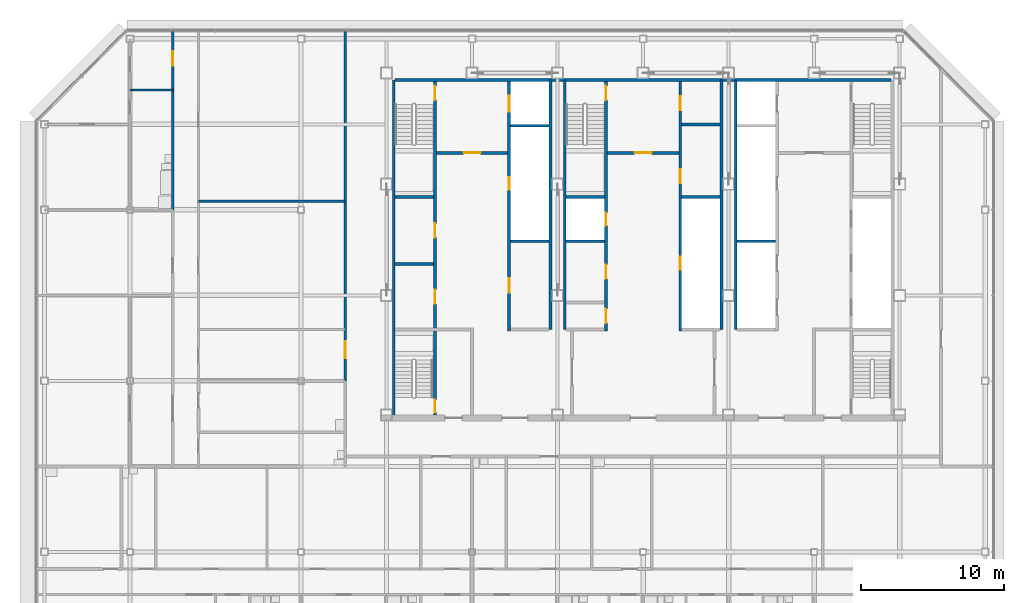
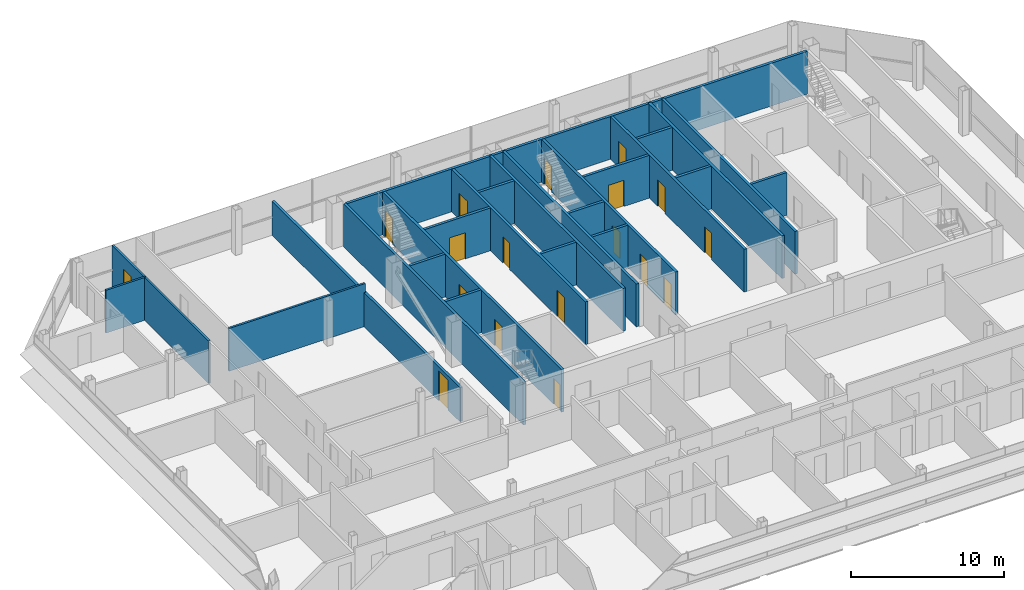
# One storey, part 24 of 28: 26 walls, 18 doors, 18 openings.
"""IFC4 building model written with IfcOpenShell, lengths in metres."""

from ifc_helpers import new_model, si_unit, direction, frame, frame_2d, origin, place, context, subcontext, project, spatial, rectangle, extrude, material, layer, layer_set, type_object, element, fill, save


model = new_model("IFC4")

# Units and contexts
model_context = context("Model", 3, precision=1e-05, world=origin(), true_north=direction((0.0, 1.0)))
body_context = subcontext(model_context, "Body", "Model", "MODEL_VIEW")
ifc_project = project(units=[si_unit("LENGTHUNIT", "METRE"), si_unit("AREAUNIT", "SQUARE_METRE"), si_unit("VOLUMEUNIT", "CUBIC_METRE"), si_unit("PLANEANGLEUNIT", "RADIAN"), si_unit("MASSUNIT", "GRAM", prefix="KILO")], contexts=[model_context])

# Site, building, storey
site_placement = place(None, origin())
site = spatial("IfcSite", under=ifc_project, at=site_placement, CompositionType="ELEMENT")
building_placement = place(site_placement, origin())
building = spatial("IfcBuilding", under=site, at=building_placement, Name="Sorahane Residences", CompositionType="ELEMENT")
storey_placement = place(building_placement, frame((0.0, 0.0, 305.199951171875)))
storey = spatial("IfcBuildingStorey", under=building, at=storey_placement, Name="L72", CompositionType="ELEMENT", Elevation=305.199951171875)

# Walls
ifc_material_1 = material(Name="Concrete C30", Category="concrete")
ifc_layer_1 = layer(ifc_material_1, 0.199951171875)
ifc_layer_set_1 = layer_set([ifc_layer_1], Name="Core face wall 200 EI 180")
wall_type_1 = type_object("IfcWallType", Name="Core face wall 200 EI 180", PredefinedType="SOLIDWALL", material=ifc_layer_set_1)
wall_1_placement = place(storey_placement, frame((6.5, 21.60009765625, 0.0), z_axis=(0.0, 0.0, 1.0), x_axis=(0.0, 1.0, 0.0)))
element("IfcWall", 1, at=wall_1_placement, inside=storey, type_object=wall_type_1, Name="L72 core face wall", PredefinedType="SOLIDWALL", context=body_context, shape_type="SweptSolid", body=[
    extrude(rectangle(XDim=23.5, YDim=0.199951171875, at=frame_2d((11.75, 0.0))), origin(), (0.0, 0.0, 1.0), 3.420166015625),
])
wall_2_placement = place(storey_placement, frame((6.60009765625, 45.10009765625, 0.0), z_axis=(0.0, 0.0, 1.0), x_axis=(1.0, 0.0, 0.0)))
element("IfcWall", 2, at=wall_2_placement, inside=storey, type_object=wall_type_1, Name="L72 core face wall", PredefinedType="SOLIDWALL", context=body_context, shape_type="SweptSolid", body=[
    extrude(rectangle(XDim=34.7998046875, YDim=0.199951171875, at=frame_2d((17.39990234375, 0.0))), origin(), (0.0, 0.0, 1.0), 3.420166015625),
])
for number, where, z_axis, x_axis, name in (
    (3, (17.5, 27.60009765625, 0.0), (0.0, 0.0, 1.0), (0.0, 1.0, 0.0), "L72 core face wall"),
    (4, (18.5, 27.60009765625, 0.0), (0.0, 0.0, 1.0), (0.0, 1.0, 0.0), "L72 core face wall"),
    (5, (29.5, 27.60009765625, 0.0), (0.0, 0.0, 1.0), (0.0, 1.0, 0.0), "L72 core face wall"),
    (6, (30.5, 27.60009765625, 0.0), (0.0, 0.0, 1.0), (0.0, 1.0, 0.0), "L72 core face wall"),
):
    element("IfcWall", number, at=place(storey_placement, frame(where, z_axis=z_axis, x_axis=x_axis)), inside=storey, type_object=wall_type_1, Name=name, PredefinedType="SOLIDWALL", context=body_context, shape_type="SweptSolid", body=[
        extrude(rectangle(XDim=17.5, YDim=0.199951171875, at=frame_2d((8.75, 0.0))), origin(), (0.0, 0.0, 1.0), 3.420166015625),
    ])

# Wall, opening, door
ifc_material_2 = material(Name="Concrete blockwork C20 wall", Category="masonry")
ifc_layer_2 = layer(ifc_material_2, 0.199951171875)
ifc_layer_set_2 = layer_set([ifc_layer_2], Name="Corridor wall 200 EI 120")
wall_type_2 = type_object("IfcWallType", Name="Corridor wall 200 EI 120", PredefinedType="SOLIDWALL", material=ifc_layer_set_2)
wall_3_placement = place(storey_placement, frame((3.10009765625, 24.0, 0.0), z_axis=(0.0, 0.0, 1.0), x_axis=(0.0, 1.0, 0.0)))
wall_3 = element("IfcWall", 7, at=wall_3_placement, inside=storey, type_object=wall_type_2, Name="L72 corridor wall", PredefinedType="SOLIDWALL", context=body_context, shape_type="SweptSolid", body=[
    extrude(rectangle(XDim=24.60009765625, YDim=0.199951171875, at=frame_2d((12.300048828125, 0.0))), origin(), (0.0, 0.0, 1.0), 2.719970703125),
])
opening_1_placement = place(wall_3_placement, frame((1.580078125, 0.0, 0.0)))
opening_1 = element("IfcOpeningElement", 8, at=opening_1_placement, cuts=wall_3, Name="Opening L72-46", PredefinedType="OPENING", context=body_context, shape_type="SweptSolid", body=[
    extrude(rectangle(XDim=1.199951171875, YDim=2.39990234375, at=frame_2d((0.60009765625, 1.199951171875))), frame((0.0, 0.10986328125, 0.0), z_axis=(0.0, -1.0, 0.0), x_axis=(1.0, 0.0, 0.0)), (0.0, 0.0, 1.0), 0.219970703125),
])
ifc_material_3 = material(Name="Timber veneered fire door", Category="wood")
door_type_1 = type_object("IfcDoorType", Name="Flat entrance door 1200x2400 FD60", OperationType="NOTDEFINED", PredefinedType="DOOR", material=ifc_material_3)
door_1_placement = place(opening_1_placement, origin())
door_1 = element("IfcDoor", 9, at=door_1_placement, inside=storey, type_object=door_type_1, Name="Flat entrance door L72-46", OperationType="SINGLE_SWING_LEFT", OverallHeight=2.39990234375, OverallWidth=1.199951171875, PredefinedType="DOOR", context=body_context, shape_type="SweptSolid", body=[
    extrude(rectangle(XDim=1.199951171875, YDim=2.39990234375, at=frame_2d((0.60009765625, 1.199951171875))), frame((0.0, 0.02490234375, 0.0), z_axis=(0.0, -1.0, 0.0), x_axis=(1.0, 0.0, 0.0)), (0.0, 0.0, 1.0), 0.050048828125),
])
fill(opening_1, door_1)

ifc_material_4 = material(Name="Concrete C30", Category="concrete")
ifc_layer_3 = layer(ifc_material_4, 0.199951171875)
ifc_layer_set_3 = layer_set([ifc_layer_3], Name="Front room wall 200 EI 120")
wall_type_3 = type_object("IfcWallType", Name="Front room wall 200 EI 120", PredefinedType="PARTITIONING", material=ifc_layer_set_3)
wall_4_placement = place(storey_placement, frame((21.5, 40.0, 0.0), z_axis=(0.0, 0.0, 1.0), x_axis=(1.0, 0.0, 0.0)))
wall_4 = element("IfcWall", 10, at=wall_4_placement, inside=storey, type_object=wall_type_3, Name="L72 front room wall", PredefinedType="PARTITIONING", context=body_context, shape_type="SweptSolid", body=[
    extrude(rectangle(XDim=5.0, YDim=0.199951171875, at=frame_2d((2.5, 0.0))), origin(), (0.0, 0.0, 1.0), 3.420166015625),
])
opening_2_placement = place(wall_4_placement, frame((1.89990234375, 0.0, 0.0)))
opening_2 = element("IfcOpeningElement", 11, at=opening_2_placement, cuts=wall_4, Name="Opening L72-C09", PredefinedType="OPENING", context=body_context, shape_type="SweptSolid", body=[
    extrude(rectangle(XDim=1.199951171875, YDim=2.10009765625, at=frame_2d((0.60009765625, 1.050048828125))), frame((0.0, 0.10986328125, 0.0), z_axis=(0.0, -1.0, 0.0), x_axis=(1.0, 0.0, 0.0)), (0.0, 0.0, 1.0), 0.219970703125),
])
ifc_material_5 = material(Name="Steel", Category="steel")
door_type_2 = type_object("IfcDoorType", Name="Front room door 1200x2100 FD120", OperationType="NOTDEFINED", PredefinedType="DOOR", material=ifc_material_5)
door_2_placement = place(opening_2_placement, frame((1.199951171875, 0.0, 0.0), z_axis=(0.0, 0.0, 1.0), x_axis=(-1.0, 0.0, 0.0)))
door_2 = element("IfcDoor", 12, at=door_2_placement, inside=storey, type_object=door_type_2, Name="Front room door Stair S3 vestibule L72", OperationType="DOUBLE_DOOR_SINGLE_SWING", OverallHeight=2.10009765625, OverallWidth=1.199951171875, PredefinedType="DOOR", context=body_context, shape_type="SweptSolid", body=[
    extrude(rectangle(XDim=1.199951171875, YDim=2.10009765625, at=frame_2d((0.60009765625, 1.050048828125))), frame((0.0, 0.02490234375, 0.0), z_axis=(0.0, -1.0, 0.0), x_axis=(1.0, 0.0, 0.0)), (0.0, 0.0, 1.0), 0.050048828125),
])
fill(opening_2, door_2)

wall_5_placement = place(storey_placement, frame((9.5, 40.0, 0.0), z_axis=(0.0, 0.0, 1.0), x_axis=(1.0, 0.0, 0.0)))
wall_5 = element("IfcWall", 13, at=wall_5_placement, inside=storey, type_object=wall_type_3, Name="L72 front room wall", PredefinedType="PARTITIONING", context=body_context, shape_type="SweptSolid", body=[
    extrude(rectangle(XDim=5.0, YDim=0.199951171875, at=frame_2d((2.5, 0.0))), origin(), (0.0, 0.0, 1.0), 3.420166015625),
])
opening_3_placement = place(wall_5_placement, frame((1.89990234375, 0.0, 0.0)))
opening_3 = element("IfcOpeningElement", 14, at=opening_3_placement, cuts=wall_5, Name="Opening L72-C08", PredefinedType="OPENING", context=body_context, shape_type="SweptSolid", body=[
    extrude(rectangle(XDim=1.199951171875, YDim=2.10009765625, at=frame_2d((0.60009765625, 1.050048828125))), frame((0.0, 0.10986328125, 0.0), z_axis=(0.0, -1.0, 0.0), x_axis=(1.0, 0.0, 0.0)), (0.0, 0.0, 1.0), 0.219970703125),
])
door_3_placement = place(opening_3_placement, frame((1.199951171875, 0.0, 0.0), z_axis=(0.0, 0.0, 1.0), x_axis=(-1.0, 0.0, 0.0)))
door_3 = element("IfcDoor", 15, at=door_3_placement, inside=storey, type_object=door_type_2, Name="Front room door Firefighting lobby FF1 front room L72", OperationType="DOUBLE_DOOR_SINGLE_SWING", OverallHeight=2.10009765625, OverallWidth=1.199951171875, PredefinedType="DOOR", context=body_context, shape_type="SweptSolid", body=[
    extrude(rectangle(XDim=1.199951171875, YDim=2.10009765625, at=frame_2d((0.60009765625, 1.050048828125))), frame((0.0, 0.02490234375, 0.0), z_axis=(0.0, -1.0, 0.0), x_axis=(1.0, 0.0, 0.0)), (0.0, 0.0, 1.0), 0.050048828125),
])
fill(opening_3, door_3)

# Wall, openings, doors
ifc_material_6 = material(Name="Concrete C30", Category="concrete")
ifc_layer_4 = layer(ifc_material_6, 0.199951171875)
ifc_layer_set_4 = layer_set([ifc_layer_4], Name="Lift shaft wall 200 EI 120")
wall_type_4 = type_object("IfcWallType", Name="Lift shaft wall 200 EI 120", PredefinedType="SOLIDWALL", material=ifc_layer_set_4)
wall_6_placement = place(storey_placement, frame((14.60009765625, 27.5, 0.0), z_axis=(0.0, 0.0, 1.0), x_axis=(0.0, 1.0, 0.0)))
wall_6 = element("IfcWall", 16, at=wall_6_placement, inside=storey, type_object=wall_type_4, Name="L72 lift shaft wall", PredefinedType="SOLIDWALL", context=body_context, shape_type="SweptSolid", body=[
    extrude(rectangle(XDim=17.5, YDim=0.199951171875, at=frame_2d((8.75, 0.0))), origin(), (0.0, 0.0, 1.0), 3.420166015625),
])
opening_4_placement = place(wall_6_placement, frame((15.39990234375, 0.0, 0.0)))
opening_4 = element("IfcOpeningElement", 17, at=opening_4_placement, cuts=wall_6, Name="Opening L72-C17", PredefinedType="OPENING", context=body_context, shape_type="SweptSolid", body=[
    extrude(rectangle(XDim=1.10009765625, YDim=2.10009765625, at=frame_2d((0.550048828125, 1.050048828125))), frame((0.0, 0.10986328125, 0.0), z_axis=(0.0, -1.0, 0.0), x_axis=(1.0, 0.0, 0.0)), (0.0, 0.0, 1.0), 0.219970703125),
])
opening_5_placement = place(wall_6_placement, frame((2.699951171875, 0.0, 0.0)))
opening_5 = element("IfcOpeningElement", 18, at=opening_5_placement, cuts=wall_6, Name="Opening L72-C20", PredefinedType="OPENING", context=body_context, shape_type="SweptSolid", body=[
    extrude(rectangle(XDim=1.0, YDim=2.10009765625, at=frame_2d((0.5, 1.050048828125))), frame((0.0, 0.10986328125, 0.0), z_axis=(0.0, -1.0, 0.0), x_axis=(1.0, 0.0, 0.0)), (0.0, 0.0, 1.0), 0.219970703125),
])
opening_6_placement = place(wall_6_placement, frame((9.89990234375, 0.0, 0.0)))
opening_6 = element("IfcOpeningElement", 19, at=opening_6_placement, cuts=wall_6, Name="Opening L72-C28", PredefinedType="OPENING", context=body_context, shape_type="SweptSolid", body=[
    extrude(rectangle(XDim=0.89990234375, YDim=2.10009765625, at=frame_2d((0.449951171875, 1.050048828125))), frame((0.0, 0.10986328125, 0.0), z_axis=(0.0, -1.0, 0.0), x_axis=(1.0, 0.0, 0.0)), (0.0, 0.0, 1.0), 0.219970703125),
])
ifc_material_7 = material(Name="Aluminium and stainless steel", Category="steel")
door_type_3 = type_object("IfcDoorType", Name="Lift landing door 1100x2100 E 60", OperationType="NOTDEFINED", PredefinedType="DOOR", material=ifc_material_7)
door_4_placement = place(opening_4_placement, origin())
door_4 = element("IfcDoor", 20, at=door_4_placement, inside=storey, type_object=door_type_3, Name="Lift landing door FF1 L72", OperationType="DOUBLE_DOOR_SLIDING", OverallHeight=2.10009765625, OverallWidth=1.10009765625, PredefinedType="DOOR", context=body_context, shape_type="SweptSolid", body=[
    extrude(rectangle(XDim=1.10009765625, YDim=2.10009765625, at=frame_2d((0.550048828125, 1.050048828125))), frame((0.0, 0.02490234375, 0.0), z_axis=(0.0, -1.0, 0.0), x_axis=(1.0, 0.0, 0.0)), (0.0, 0.0, 1.0), 0.050048828125),
])
fill(opening_4, door_4)
ifc_material_8 = material(Name="Steel", Category="steel")
door_type_4 = type_object("IfcDoorType", Name="Riser door 900x2100 FD120", OperationType="NOTDEFINED", PredefinedType="DOOR", material=ifc_material_8)
door_5_placement = place(opening_6_placement, origin())
door_5 = element("IfcDoor", 21, at=door_5_placement, inside=storey, type_object=door_type_4, Name="Riser door R1 L72", OperationType="SINGLE_SWING_LEFT", OverallHeight=2.10009765625, OverallWidth=0.89990234375, PredefinedType="DOOR", context=body_context, shape_type="SweptSolid", body=[
    extrude(rectangle(XDim=0.89990234375, YDim=2.10009765625, at=frame_2d((0.449951171875, 1.050048828125))), frame((0.0, 0.02490234375, 0.0), z_axis=(0.0, -1.0, 0.0), x_axis=(1.0, 0.0, 0.0)), (0.0, 0.0, 1.0), 0.050048828125),
])
fill(opening_6, door_5)
ifc_material_9 = material(Name="Steel", Category="steel")
door_type_5 = type_object("IfcDoorType", Name="Service room door 1000x2100 FD60", OperationType="NOTDEFINED", PredefinedType="DOOR", material=ifc_material_9)
door_6_placement = place(opening_5_placement, frame((1.0, 0.0, 0.0), z_axis=(0.0, 0.0, 1.0), x_axis=(-1.0, 0.0, 0.0)))
door_6 = element("IfcDoor", 22, at=door_6_placement, inside=storey, type_object=door_type_5, Name="Service room door Archive L72", OperationType="SINGLE_SWING_RIGHT", OverallHeight=2.10009765625, OverallWidth=1.0, PredefinedType="DOOR", context=body_context, shape_type="SweptSolid", body=[
    extrude(rectangle(XDim=1.0, YDim=2.10009765625, at=frame_2d((0.5, 1.050048828125))), frame((0.0, 0.02490234375, 0.0), z_axis=(0.0, -1.0, 0.0), x_axis=(1.0, 0.0, 0.0)), (0.0, 0.0, 1.0), 0.050048828125),
])
fill(opening_5, door_6)

# Walls
for number, where, z_axis, x_axis, name in (
    (23, (30.60009765625, 33.800048828125, 0.0), (0.0, 0.0, 1.0), (1.0, 0.0, 0.0), "L72 lift shaft wall"),
    (24, (14.699951171875, 41.89990234375, 0.0), (0.0, 0.0, 1.0), (1.0, 0.0, 0.0), "L72 lift shaft wall"),
):
    element("IfcWall", number, at=place(storey_placement, frame(where, z_axis=z_axis, x_axis=x_axis)), inside=storey, type_object=wall_type_4, Name=name, PredefinedType="SOLIDWALL", context=body_context, shape_type="SweptSolid", body=[
        extrude(rectangle(XDim=2.699951171875, YDim=0.199951171875, at=frame_2d((1.35009765625, 0.0))), origin(), (0.0, 0.0, 1.0), 3.420166015625),
    ])

# Wall, opening, door
ifc_material_10 = material(Name="Gypsum board partition on steel studs", Category="steel")
ifc_layer_5 = layer(ifc_material_10, 0.14990234375)
ifc_layer_set_5 = layer_set([ifc_layer_5], Name="Partition 150 EI 90")
wall_type_5 = type_object("IfcWallType", Name="Partition 150 EI 90", PredefinedType="PARTITIONING", material=ifc_layer_set_5)
wall_7_placement = place(storey_placement, frame((-9.0, 44.39990234375, 0.0), z_axis=(0.0, 0.0, 1.0), x_axis=(0.0, 1.0, 0.0)))
wall_7 = element("IfcWall", 25, at=wall_7_placement, inside=storey, type_object=wall_type_5, Name="L72 partition", PredefinedType="PARTITIONING", context=body_context, shape_type="SweptSolid", body=[
    extrude(rectangle(XDim=4.2001953125, YDim=0.14990234375, at=frame_2d((2.10009765625, 0.0))), origin(), (0.0, 0.0, 1.0), 3.420166015625),
])
opening_7_placement = place(wall_7_placement, frame((1.719970703125, 0.0, 0.0)))
opening_7 = element("IfcOpeningElement", 26, at=opening_7_placement, cuts=wall_7, Name="Opening L72-39", PredefinedType="OPENING", context=body_context, shape_type="SweptSolid", body=[
    extrude(rectangle(XDim=1.0, YDim=2.39990234375, at=frame_2d((0.5, 1.199951171875))), frame((0.0, 0.0849609375, 0.0), z_axis=(0.0, -1.0, 0.0), x_axis=(1.0, 0.0, 0.0)), (0.0, 0.0, 1.0), 0.169921875),
])
ifc_material_11 = material(Name="Timber veneered fire door", Category="wood")
door_type_6 = type_object("IfcDoorType", Name="Room door 1000x2400 FD30", OperationType="NOTDEFINED", PredefinedType="DOOR", material=ifc_material_11)
door_7_placement = place(opening_7_placement, origin())
door_7 = element("IfcDoor", 27, at=door_7_placement, inside=storey, type_object=door_type_6, Name="Room door L72-39", OperationType="SINGLE_SWING_RIGHT", OverallHeight=2.39990234375, OverallWidth=1.0, PredefinedType="DOOR", context=body_context, shape_type="SweptSolid", body=[
    extrude(rectangle(XDim=1.0, YDim=2.39990234375, at=frame_2d((0.5, 1.199951171875))), frame((0.0, 0.02490234375, 0.0), z_axis=(0.0, -1.0, 0.0), x_axis=(1.0, 0.0, 0.0)), (0.0, 0.0, 1.0), 0.050048828125),
])
fill(opening_7, door_7)

# Wall
wall_8_placement = place(storey_placement, frame((-7.199951171875, 36.60009765625, 0.0), z_axis=(0.0, 0.0, 1.0), x_axis=(1.0, 0.0, 0.0)))
element("IfcWall", 28, at=wall_8_placement, inside=storey, type_object=wall_type_5, Name="L72 partition", PredefinedType="PARTITIONING", context=body_context, shape_type="SweptSolid", body=[
    extrude(rectangle(XDim=10.300048828125, YDim=0.14990234375, at=frame_2d((5.14990234375, 0.0))), origin(), (0.0, 0.0, 1.0), 3.420166015625),
])

# Wall, openings, doors
ifc_material_12 = material(Name="Concrete C30", Category="concrete")
ifc_layer_6 = layer(ifc_material_12, 0.199951171875)
ifc_layer_set_6 = layer_set([ifc_layer_6], Name="Riser shaft wall 200 EI 120")
wall_type_6 = type_object("IfcWallType", Name="Riser shaft wall 200 EI 120", PredefinedType="SOLIDWALL", material=ifc_layer_set_6)
wall_9_placement = place(storey_placement, frame((26.60009765625, 27.5, 0.0), z_axis=(0.0, 0.0, 1.0), x_axis=(0.0, 1.0, 0.0)))
wall_9 = element("IfcWall", 29, at=wall_9_placement, inside=storey, type_object=wall_type_6, Name="L72 riser wall", PredefinedType="SOLIDWALL", context=body_context, shape_type="SweptSolid", body=[
    extrude(rectangle(XDim=17.5, YDim=0.199951171875, at=frame_2d((8.75, 0.0))), origin(), (0.0, 0.0, 1.0), 3.420166015625),
])
opening_8_placement = place(wall_9_placement, frame((4.300048828125, 0.0, 0.0)))
opening_8 = element("IfcOpeningElement", 30, at=opening_8_placement, cuts=wall_9, Name="Opening L72-C31", PredefinedType="OPENING", context=body_context, shape_type="SweptSolid", body=[
    extrude(rectangle(XDim=0.89990234375, YDim=2.10009765625, at=frame_2d((0.449951171875, 1.050048828125))), frame((0.0, 0.10986328125, 0.0), z_axis=(0.0, -1.0, 0.0), x_axis=(1.0, 0.0, 0.0)), (0.0, 0.0, 1.0), 0.219970703125),
])
opening_9_placement = place(wall_9_placement, frame((10.35009765625, 0.0, 0.0)))
opening_9 = element("IfcOpeningElement", 31, at=opening_9_placement, cuts=wall_9, Name="Opening L72-C32", PredefinedType="OPENING", context=body_context, shape_type="SweptSolid", body=[
    extrude(rectangle(XDim=1.0, YDim=2.10009765625, at=frame_2d((0.5, 1.050048828125))), frame((0.0, 0.10986328125, 0.0), z_axis=(0.0, -1.0, 0.0), x_axis=(1.0, 0.0, 0.0)), (0.0, 0.0, 1.0), 0.219970703125),
])
opening_10_placement = place(wall_9_placement, frame((15.47509765625, 0.0, 0.0)))
opening_10 = element("IfcOpeningElement", 32, at=opening_10_placement, cuts=wall_9, Name="Opening L72-C33", PredefinedType="OPENING", context=body_context, shape_type="SweptSolid", body=[
    extrude(rectangle(XDim=1.0, YDim=2.10009765625, at=frame_2d((0.5, 1.050048828125))), frame((0.0, 0.10986328125, 0.0), z_axis=(0.0, -1.0, 0.0), x_axis=(1.0, 0.0, 0.0)), (0.0, 0.0, 1.0), 0.219970703125),
])
door_8_placement = place(opening_8_placement, origin())
door_8 = element("IfcDoor", 33, at=door_8_placement, inside=storey, type_object=door_type_4, Name="Riser door R4 L72", OperationType="SINGLE_SWING_LEFT", OverallHeight=2.10009765625, OverallWidth=0.89990234375, PredefinedType="DOOR", context=body_context, shape_type="SweptSolid", body=[
    extrude(rectangle(XDim=0.89990234375, YDim=2.10009765625, at=frame_2d((0.449951171875, 1.050048828125))), frame((0.0, 0.02490234375, 0.0), z_axis=(0.0, -1.0, 0.0), x_axis=(1.0, 0.0, 0.0)), (0.0, 0.0, 1.0), 0.050048828125),
])
fill(opening_8, door_8)
door_9_placement = place(opening_9_placement, frame((1.0, 0.0, 0.0), z_axis=(0.0, 0.0, 1.0), x_axis=(-1.0, 0.0, 0.0)))
door_9 = element("IfcDoor", 34, at=door_9_placement, inside=storey, type_object=door_type_5, Name="Service room door Parcel room L72", OperationType="SINGLE_SWING_LEFT", OverallHeight=2.10009765625, OverallWidth=1.0, PredefinedType="DOOR", context=body_context, shape_type="SweptSolid", body=[
    extrude(rectangle(XDim=1.0, YDim=2.10009765625, at=frame_2d((0.5, 1.050048828125))), frame((0.0, 0.02490234375, 0.0), z_axis=(0.0, -1.0, 0.0), x_axis=(1.0, 0.0, 0.0)), (0.0, 0.0, 1.0), 0.050048828125),
])
fill(opening_9, door_9)
door_10_placement = place(opening_10_placement, frame((1.0, 0.0, 0.0), z_axis=(0.0, 0.0, 1.0), x_axis=(-1.0, 0.0, 0.0)))
door_10 = element("IfcDoor", 35, at=door_10_placement, inside=storey, type_object=door_type_5, Name="Service room door Refuse room L72", OperationType="SINGLE_SWING_RIGHT", OverallHeight=2.10009765625, OverallWidth=1.0, PredefinedType="DOOR", context=body_context, shape_type="SweptSolid", body=[
    extrude(rectangle(XDim=1.0, YDim=2.10009765625, at=frame_2d((0.5, 1.050048828125))), frame((0.0, 0.02490234375, 0.0), z_axis=(0.0, -1.0, 0.0), x_axis=(1.0, 0.0, 0.0)), (0.0, 0.0, 1.0), 0.050048828125),
])
fill(opening_10, door_10)

# Walls
for number, where, z_axis, x_axis, name in (
    (36, (14.699951171875, 33.800048828125, 0.0), (0.0, 0.0, 1.0), (1.0, 0.0, 0.0), "L72 riser wall"),
    (37, (18.60009765625, 33.800048828125, 0.0), (0.0, 0.0, 1.0), (1.0, 0.0, 0.0), "L72 riser wall"),
    (38, (26.699951171875, 36.89990234375, 0.0), (0.0, 0.0, 1.0), (1.0, 0.0, 0.0), "L72 riser wall"),
):
    element("IfcWall", number, at=place(storey_placement, frame(where, z_axis=z_axis, x_axis=x_axis)), inside=storey, type_object=wall_type_6, Name=name, PredefinedType="SOLIDWALL", context=body_context, shape_type="SweptSolid", body=[
        extrude(rectangle(XDim=2.699951171875, YDim=0.199951171875, at=frame_2d((1.35009765625, 0.0))), origin(), (0.0, 0.0, 1.0), 3.420166015625),
    ])
ifc_material_13 = material(Name="Concrete C30", Category="concrete")
ifc_layer_7 = layer(ifc_material_13, 0.199951171875)
ifc_layer_set_7 = layer_set([ifc_layer_7], Name="Service room partition 200 EI 60")
wall_type_7 = type_object("IfcWallType", Name="Service room partition 200 EI 60", PredefinedType="PARTITIONING", material=ifc_layer_set_7)
for number, where, z_axis, x_axis, name in (
    (39, (6.60009765625, 32.199951171875, 0.0), (0.0, 0.0, 1.0), (1.0, 0.0, 0.0), "L72 service room wall"),
    (40, (26.699951171875, 42.0, 0.0), (0.0, 0.0, 1.0), (1.0, 0.0, 0.0), "L72 service room wall"),
):
    element("IfcWall", number, at=place(storey_placement, frame(where, z_axis=z_axis, x_axis=x_axis)), inside=storey, type_object=wall_type_7, Name=name, PredefinedType="PARTITIONING", context=body_context, shape_type="SweptSolid", body=[
        extrude(rectangle(XDim=2.699951171875, YDim=0.199951171875, at=frame_2d((1.35009765625, 0.0))), origin(), (0.0, 0.0, 1.0), 3.420166015625),
    ])

# Wall, openings, doors
ifc_material_14 = material(Name="Concrete C30", Category="concrete")
ifc_layer_8 = layer(ifc_material_14, 0.199951171875)
ifc_layer_set_8 = layer_set([ifc_layer_8], Name="Stair enclosure wall 200 EI 120")
wall_type_8 = type_object("IfcWallType", Name="Stair enclosure wall 200 EI 120", PredefinedType="SOLIDWALL", material=ifc_layer_set_8)
wall_10_placement = place(storey_placement, frame((21.39990234375, 27.5, 0.0), z_axis=(0.0, 0.0, 1.0), x_axis=(0.0, 1.0, 0.0)))
wall_10 = element("IfcWall", 41, at=wall_10_placement, inside=storey, type_object=wall_type_8, Name="L72 stair enclosure wall", PredefinedType="SOLIDWALL", context=body_context, shape_type="SweptSolid", body=[
    extrude(rectangle(XDim=17.5, YDim=0.199951171875, at=frame_2d((8.75, 0.0))), origin(), (0.0, 0.0, 1.0), 3.420166015625),
])
opening_11_placement = place(wall_10_placement, frame((0.550048828125, 0.0, 0.0)))
opening_11 = element("IfcOpeningElement", 42, at=opening_11_placement, cuts=wall_10, Name="Opening L72-C18", PredefinedType="OPENING", context=body_context, shape_type="SweptSolid", body=[
    extrude(rectangle(XDim=1.0, YDim=2.10009765625, at=frame_2d((0.5, 1.050048828125))), frame((0.0, 0.10986328125, 0.0), z_axis=(0.0, -1.0, 0.0), x_axis=(1.0, 0.0, 0.0)), (0.0, 0.0, 1.0), 0.219970703125),
])
opening_12_placement = place(wall_10_placement, frame((3.64990234375, 0.0, 0.0)))
opening_12 = element("IfcOpeningElement", 43, at=opening_12_placement, cuts=wall_10, Name="Opening L72-C19", PredefinedType="OPENING", context=body_context, shape_type="SweptSolid", body=[
    extrude(rectangle(XDim=1.0, YDim=2.10009765625, at=frame_2d((0.5, 1.050048828125))), frame((0.0, 0.10986328125, 0.0), z_axis=(0.0, -1.0, 0.0), x_axis=(1.0, 0.0, 0.0)), (0.0, 0.0, 1.0), 0.219970703125),
])
opening_13_placement = place(wall_10_placement, frame((16.199951171875, 0.0, 0.0)))
opening_13 = element("IfcOpeningElement", 44, at=opening_13_placement, cuts=wall_10, Name="Opening L72-C25", PredefinedType="OPENING", context=body_context, shape_type="SweptSolid", body=[
    extrude(rectangle(XDim=1.0, YDim=2.10009765625, at=frame_2d((0.5, 1.050048828125))), frame((0.0, 0.10986328125, 0.0), z_axis=(0.0, -1.0, 0.0), x_axis=(1.0, 0.0, 0.0)), (0.0, 0.0, 1.0), 0.219970703125),
])
opening_14_placement = place(wall_10_placement, frame((7.39990234375, 0.0, 0.0)))
opening_14 = element("IfcOpeningElement", 45, at=opening_14_placement, cuts=wall_10, Name="Opening L72-C30", PredefinedType="OPENING", context=body_context, shape_type="SweptSolid", body=[
    extrude(rectangle(XDim=0.89990234375, YDim=2.10009765625, at=frame_2d((0.449951171875, 1.050048828125))), frame((0.0, 0.10986328125, 0.0), z_axis=(0.0, -1.0, 0.0), x_axis=(1.0, 0.0, 0.0)), (0.0, 0.0, 1.0), 0.219970703125),
])
door_11_placement = place(opening_14_placement, frame((0.89990234375, 0.0, 0.0), z_axis=(0.0, 0.0, 1.0), x_axis=(-1.0, 0.0, 0.0)))
door_11 = element("IfcDoor", 46, at=door_11_placement, inside=storey, type_object=door_type_4, Name="Riser door R3 L72", OperationType="SINGLE_SWING_LEFT", OverallHeight=2.10009765625, OverallWidth=0.89990234375, PredefinedType="DOOR", context=body_context, shape_type="SweptSolid", body=[
    extrude(rectangle(XDim=0.89990234375, YDim=2.10009765625, at=frame_2d((0.449951171875, 1.050048828125))), frame((0.0, 0.02490234375, 0.0), z_axis=(0.0, -1.0, 0.0), x_axis=(1.0, 0.0, 0.0)), (0.0, 0.0, 1.0), 0.050048828125),
])
fill(opening_14, door_11)
door_12_placement = place(opening_11_placement, origin())
door_12 = element("IfcDoor", 47, at=door_12_placement, inside=storey, type_object=door_type_5, Name="Service room door Wine store L72", OperationType="SINGLE_SWING_LEFT", OverallHeight=2.10009765625, OverallWidth=1.0, PredefinedType="DOOR", context=body_context, shape_type="SweptSolid", body=[
    extrude(rectangle(XDim=1.0, YDim=2.10009765625, at=frame_2d((0.5, 1.050048828125))), frame((0.0, 0.02490234375, 0.0), z_axis=(0.0, -1.0, 0.0), x_axis=(1.0, 0.0, 0.0)), (0.0, 0.0, 1.0), 0.050048828125),
])
fill(opening_11, door_12)
door_13_placement = place(opening_12_placement, origin())
door_13 = element("IfcDoor", 48, at=door_13_placement, inside=storey, type_object=door_type_5, Name="Service room door Valet store L72", OperationType="SINGLE_SWING_LEFT", OverallHeight=2.10009765625, OverallWidth=1.0, PredefinedType="DOOR", context=body_context, shape_type="SweptSolid", body=[
    extrude(rectangle(XDim=1.0, YDim=2.10009765625, at=frame_2d((0.5, 1.050048828125))), frame((0.0, 0.02490234375, 0.0), z_axis=(0.0, -1.0, 0.0), x_axis=(1.0, 0.0, 0.0)), (0.0, 0.0, 1.0), 0.050048828125),
])
fill(opening_12, door_13)
ifc_material_15 = material(Name="Steel", Category="steel")
door_type_7 = type_object("IfcDoorType", Name="Stair door 1000x2100 FD120", OperationType="NOTDEFINED", PredefinedType="DOOR", material=ifc_material_15)
door_14_placement = place(opening_13_placement, origin())
door_14 = element("IfcDoor", 49, at=door_14_placement, inside=storey, type_object=door_type_7, Name="Stair door S3 L72", OperationType="SINGLE_SWING_LEFT", OverallHeight=2.10009765625, OverallWidth=1.0, PredefinedType="DOOR", context=body_context, shape_type="SweptSolid", body=[
    extrude(rectangle(XDim=1.0, YDim=2.10009765625, at=frame_2d((0.5, 1.050048828125))), frame((0.0, 0.02490234375, 0.0), z_axis=(0.0, -1.0, 0.0), x_axis=(1.0, 0.0, 0.0)), (0.0, 0.0, 1.0), 0.050048828125),
])
fill(opening_13, door_14)

wall_11_placement = place(storey_placement, frame((9.39990234375, 21.60009765625, 0.0), z_axis=(0.0, 0.0, 1.0), x_axis=(0.0, 1.0, 0.0)))
wall_11 = element("IfcWall", 50, at=wall_11_placement, inside=storey, type_object=wall_type_8, Name="L72 stair enclosure wall", PredefinedType="SOLIDWALL", context=body_context, shape_type="SweptSolid", body=[
    extrude(rectangle(XDim=23.39990234375, YDim=0.199951171875, at=frame_2d((11.699951171875, 0.0))), origin(), (0.0, 0.0, 1.0), 3.420166015625),
])
opening_15_placement = place(wall_11_placement, frame((7.800048828125, 0.0, 0.0)))
opening_15 = element("IfcOpeningElement", 51, at=opening_15_placement, cuts=wall_11, Name="Opening L72-C21", PredefinedType="OPENING", context=body_context, shape_type="SweptSolid", body=[
    extrude(rectangle(XDim=1.0, YDim=2.10009765625, at=frame_2d((0.5, 1.050048828125))), frame((0.0, 0.10986328125, 0.0), z_axis=(0.0, -1.0, 0.0), x_axis=(1.0, 0.0, 0.0)), (0.0, 0.0, 1.0), 0.219970703125),
])
opening_16_placement = place(wall_11_placement, frame((12.449951171875, 0.0, 0.0)))
opening_16 = element("IfcOpeningElement", 52, at=opening_16_placement, cuts=wall_11, Name="Opening L72-C22", PredefinedType="OPENING", context=body_context, shape_type="SweptSolid", body=[
    extrude(rectangle(XDim=1.0, YDim=2.10009765625, at=frame_2d((0.5, 1.050048828125))), frame((0.0, 0.10986328125, 0.0), z_axis=(0.0, -1.0, 0.0), x_axis=(1.0, 0.0, 0.0)), (0.0, 0.0, 1.0), 0.219970703125),
])
opening_17_placement = place(wall_11_placement, frame((22.10009765625, 0.0, 0.0)))
opening_17 = element("IfcOpeningElement", 53, at=opening_17_placement, cuts=wall_11, Name="Opening L72-C23", PredefinedType="OPENING", context=body_context, shape_type="SweptSolid", body=[
    extrude(rectangle(XDim=1.0, YDim=2.10009765625, at=frame_2d((0.5, 1.050048828125))), frame((0.0, 0.10986328125, 0.0), z_axis=(0.0, -1.0, 0.0), x_axis=(1.0, 0.0, 0.0)), (0.0, 0.0, 1.0), 0.219970703125),
])
opening_18_placement = place(wall_11_placement, frame((0.175048828125, 0.0, 0.0)))
opening_18 = element("IfcOpeningElement", 54, at=opening_18_placement, cuts=wall_11, Name="Opening L72-C26", PredefinedType="OPENING", context=body_context, shape_type="SweptSolid", body=[
    extrude(rectangle(XDim=0.89990234375, YDim=2.10009765625, at=frame_2d((0.449951171875, 1.050048828125))), frame((0.0, 0.10986328125, 0.0), z_axis=(0.0, -1.0, 0.0), x_axis=(1.0, 0.0, 0.0)), (0.0, 0.0, 1.0), 0.219970703125),
])
door_15_placement = place(opening_15_placement, origin())
door_15 = element("IfcDoor", 55, at=door_15_placement, inside=storey, type_object=door_type_5, Name="Service room door Audio room L72", OperationType="SINGLE_SWING_RIGHT", OverallHeight=2.10009765625, OverallWidth=1.0, PredefinedType="DOOR", context=body_context, shape_type="SweptSolid", body=[
    extrude(rectangle(XDim=1.0, YDim=2.10009765625, at=frame_2d((0.5, 1.050048828125))), frame((0.0, 0.02490234375, 0.0), z_axis=(0.0, -1.0, 0.0), x_axis=(1.0, 0.0, 0.0)), (0.0, 0.0, 1.0), 0.050048828125),
])
fill(opening_15, door_15)
door_16_placement = place(opening_16_placement, origin())
door_16 = element("IfcDoor", 56, at=door_16_placement, inside=storey, type_object=door_type_5, Name="Service room door Audio room L72", OperationType="SINGLE_SWING_LEFT", OverallHeight=2.10009765625, OverallWidth=1.0, PredefinedType="DOOR", context=body_context, shape_type="SweptSolid", body=[
    extrude(rectangle(XDim=1.0, YDim=2.10009765625, at=frame_2d((0.5, 1.050048828125))), frame((0.0, 0.02490234375, 0.0), z_axis=(0.0, -1.0, 0.0), x_axis=(1.0, 0.0, 0.0)), (0.0, 0.0, 1.0), 0.050048828125),
])
fill(opening_16, door_16)
door_17_placement = place(opening_17_placement, origin())
door_17 = element("IfcDoor", 57, at=door_17_placement, inside=storey, type_object=door_type_7, Name="Stair door S1 L72", OperationType="SINGLE_SWING_LEFT", OverallHeight=2.10009765625, OverallWidth=1.0, PredefinedType="DOOR", context=body_context, shape_type="SweptSolid", body=[
    extrude(rectangle(XDim=1.0, YDim=2.10009765625, at=frame_2d((0.5, 1.050048828125))), frame((0.0, 0.02490234375, 0.0), z_axis=(0.0, -1.0, 0.0), x_axis=(1.0, 0.0, 0.0)), (0.0, 0.0, 1.0), 0.050048828125),
])
fill(opening_17, door_17)
ifc_material_16 = material(Name="Steel", Category="steel")
door_type_8 = type_object("IfcDoorType", Name="Stair door 900x2100 FD120", OperationType="NOTDEFINED", PredefinedType="DOOR", material=ifc_material_16)
door_18_placement = place(opening_18_placement, origin())
door_18 = element("IfcDoor", 58, at=door_18_placement, inside=storey, type_object=door_type_8, Name="Stair door S4 L72", OperationType="SINGLE_SWING_LEFT", OverallHeight=2.10009765625, OverallWidth=0.89990234375, PredefinedType="DOOR", context=body_context, shape_type="SweptSolid", body=[
    extrude(rectangle(XDim=0.89990234375, YDim=2.10009765625, at=frame_2d((0.449951171875, 1.050048828125))), frame((0.0, 0.02490234375, 0.0), z_axis=(0.0, -1.0, 0.0), x_axis=(1.0, 0.0, 0.0)), (0.0, 0.0, 1.0), 0.050048828125),
])
fill(opening_18, door_18)

# Walls
for number, where, z_axis, x_axis, name in (
    (59, (18.60009765625, 36.89990234375, 0.0), (0.0, 0.0, 1.0), (1.0, 0.0, 0.0), "L72 stair enclosure wall"),
    (60, (6.60009765625, 36.89990234375, 0.0), (0.0, 0.0, 1.0), (1.0, 0.0, 0.0), "L72 stair enclosure wall"),
):
    element("IfcWall", number, at=place(storey_placement, frame(where, z_axis=z_axis, x_axis=x_axis)), inside=storey, type_object=wall_type_8, Name=name, PredefinedType="SOLIDWALL", context=body_context, shape_type="SweptSolid", body=[
        extrude(rectangle(XDim=2.699951171875, YDim=0.199951171875, at=frame_2d((1.35009765625, 0.0))), origin(), (0.0, 0.0, 1.0), 3.420166015625),
    ])
ifc_material_17 = material(Name="Gypsum board partition on steel studs", Category="steel")
ifc_layer_9 = layer(ifc_material_17, 0.14990234375)
ifc_layer_set_9 = layer_set([ifc_layer_9], Name="Wet wall 150 EI 90")
wall_type_9 = type_object("IfcWallType", Name="Wet wall 150 EI 90", PredefinedType="PARTITIONING", material=ifc_layer_set_9)
wall_12_placement = place(storey_placement, frame((-9.0, 36.0, 0.0), z_axis=(0.0, 0.0, 1.0), x_axis=(0.0, 1.0, 0.0)))
element("IfcWall", 61, at=wall_12_placement, inside=storey, type_object=wall_type_9, Name="L72 wet wall", PredefinedType="PARTITIONING", context=body_context, shape_type="SweptSolid", body=[
    extrude(rectangle(XDim=8.39990234375, YDim=0.14990234375, at=frame_2d((4.199951171875, 0.0))), origin(), (0.0, 0.0, 1.0), 3.420166015625),
])
wall_13_placement = place(storey_placement, frame((-12.0, 44.39990234375, 0.0), z_axis=(0.0, 0.0, 1.0), x_axis=(1.0, 0.0, 0.0)))
element("IfcWall", 62, at=wall_13_placement, inside=storey, type_object=wall_type_9, Name="L72 wet wall", PredefinedType="PARTITIONING", context=body_context, shape_type="SweptSolid", body=[
    extrude(rectangle(XDim=3.0, YDim=0.14990234375, at=frame_2d((1.5, 0.0))), origin(), (0.0, 0.0, 1.0), 3.420166015625),
])

save(model, "model.ifc")
